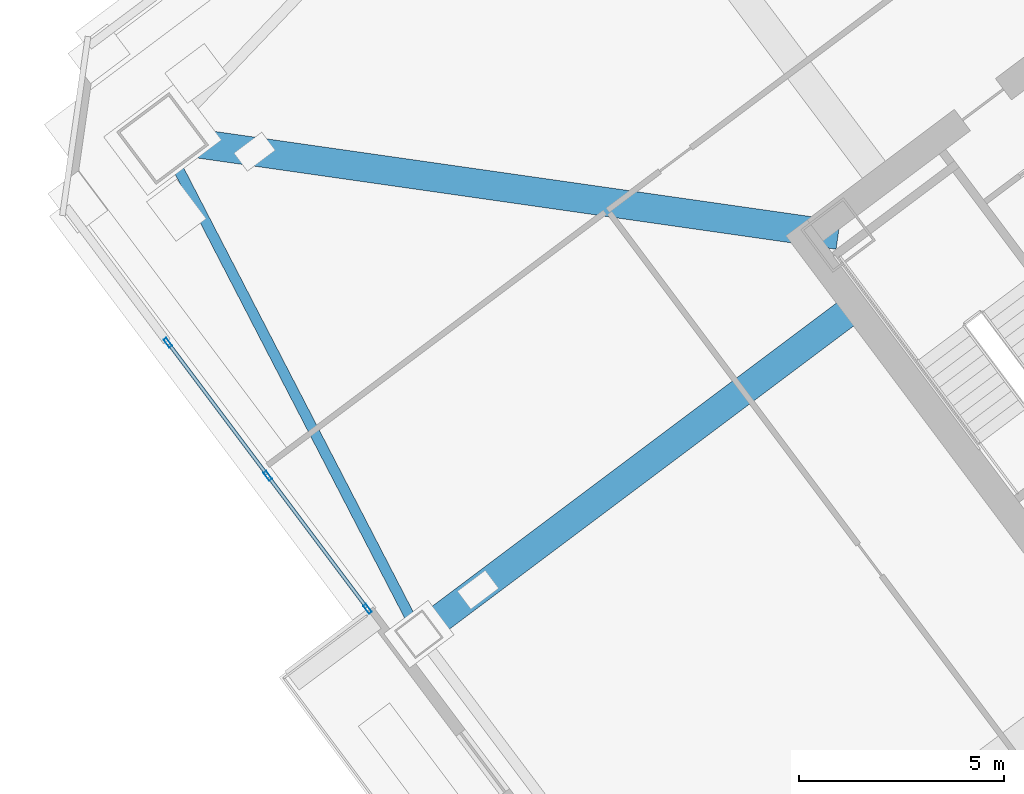
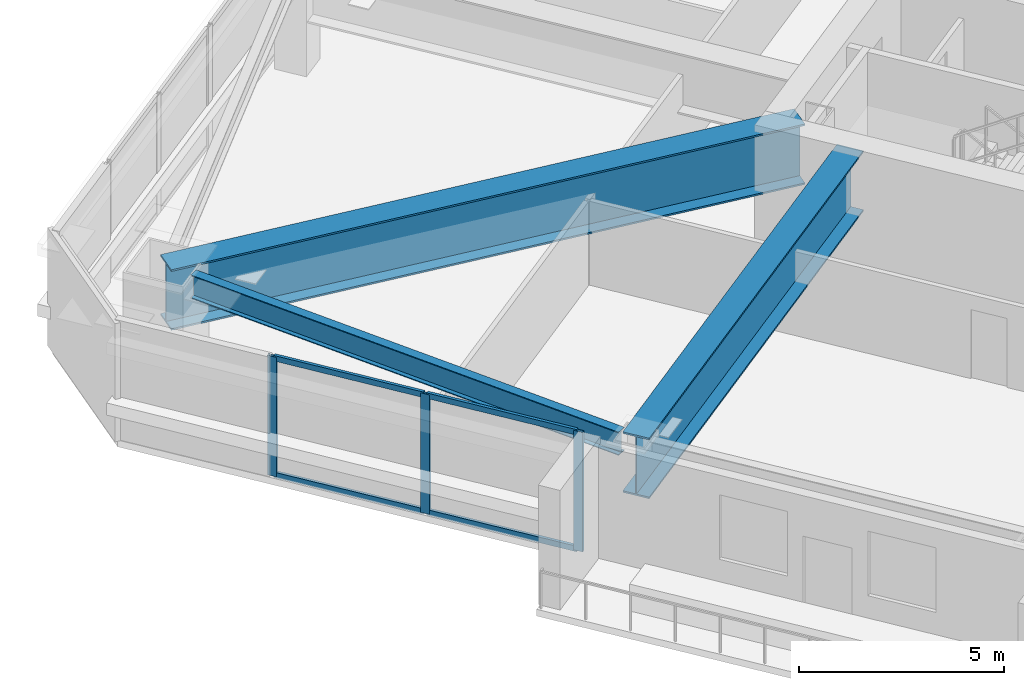
# One storey, part 23 of 48: 7 members, 3 beams, 1 element without a shape of its own.
"""IFC4 building model written with IfcOpenShell, lengths in metres."""

from ifc_helpers import new_model, si_unit, direction, frame, origin, origin_2d, place, context, subcontext, project, spatial, hollow_rectangle, i_section, extrude, material, material_profile, profile_set, type_object, element, aggregate, save


model = new_model("IFC4")

# Units and contexts
model_context = context("Model", 3, precision=1e-05, world=origin(), true_north=direction((0.0, 1.0)))
body_context = subcontext(model_context, "Body", "Model", "MODEL_VIEW")
ifc_project = project(units=[si_unit("LENGTHUNIT", "METRE"), si_unit("AREAUNIT", "SQUARE_METRE"), si_unit("VOLUMEUNIT", "CUBIC_METRE"), si_unit("PLANEANGLEUNIT", "RADIAN"), si_unit("MASSUNIT", "GRAM", prefix="KILO")], contexts=[model_context])

# Site, building, storey
site_placement = place(None, origin())
site = spatial("IfcSite", under=ifc_project, at=site_placement, CompositionType="ELEMENT")
building_placement = place(site_placement, origin())
building = spatial("IfcBuilding", under=site, at=building_placement, Name="Tashvorn Skyway Center", CompositionType="ELEMENT")
storey_placement = place(building_placement, frame((0.0, 0.0, 63.64990234375)))
storey = spatial("IfcBuildingStorey", under=building, at=storey_placement, Name="L16", CompositionType="ELEMENT", Elevation=63.64990234375)

# Beams
ifc_material_1 = material(Name="Steel ASTM A572 Grade 50", Category="steel")
ifc_material_profile_1 = material_profile(ifc_material_1, i_section(OverallWidth=0.699951171875, OverallDepth=1.800048828125, WebThickness=0.031982421875, FlangeThickness=0.050048828125, at=origin_2d()), Name="PG1800x700")
ifc_profile_set_1 = profile_set([ifc_material_profile_1], Name="Steel ASTM A572 Grade 50")
beam_type_1 = type_object("IfcBeamType", Name="BM-BEAM-PG1800x700", PredefinedType="BEAM", material=ifc_profile_set_1)
beam_1_placement = place(storey_placement, frame((87.679931640625, 35.760009765625, 2.4501953125), z_axis=(0.989948612107, -0.141427526976, 0.0), x_axis=(0.141427526976, 0.989948612107, 0.0)))
element("IfcBeam", 1, at=beam_1_placement, inside=storey, type_object=beam_type_1, Name="Tower 2 L16 Setback Transfer Girder MC-NW", PredefinedType="BEAM", context=body_context, shape_type="SweptSolid", body=[
    extrude(i_section(OverallWidth=0.699951171875, OverallDepth=1.800048828125, WebThickness=0.031982421875, FlangeThickness=0.050048828125, at=origin_2d()), origin(), (0.0, 0.0, 1.0), 16.616943359375),
])
beam_2_placement = place(storey_placement, frame((93.919921875, 23.68994140625, 2.4501953125), z_axis=(0.799993376728, 0.600008830928, 0.0), x_axis=(-0.600008830928, 0.799993376728, 0.0)))
element("IfcBeam", 2, at=beam_2_placement, inside=storey, type_object=beam_type_1, Name="Tower 2 L16 Setback Transfer Girder FC-W1", PredefinedType="BEAM", context=body_context, shape_type="SweptSolid", body=[
    extrude(i_section(OverallWidth=0.699951171875, OverallDepth=1.800048828125, WebThickness=0.031982421875, FlangeThickness=0.050048828125, at=origin_2d()), origin(), (0.0, 0.0, 1.0), 13.27001953125),
])
ifc_material_2 = material(Name="Steel ASTM A992 Grade 50", Category="steel")
ifc_material_profile_2 = material_profile(ifc_material_2, i_section(OverallWidth=0.256103515625, OverallDepth=0.693115234375, WebThickness=0.014404296875, FlangeThickness=0.023681640625, at=origin_2d()), Name="W27X114")
ifc_profile_set_2 = profile_set([ifc_material_profile_2], Name="Steel ASTM A992 Grade 50")
beam_type_2 = type_object("IfcBeamType", Name="BM-SPANDREL-W27X114", PredefinedType="SPANDREL", material=ifc_profile_set_2)
beam_3_placement = place(storey_placement, frame((88.045166015625, 35.0537109375, 3.003662109375), z_axis=(0.459233413919, -0.888315637339, 0.0), x_axis=(0.888315637339, 0.459233413919, 0.0)))
element("IfcBeam", 3, at=beam_3_placement, inside=storey, type_object=beam_type_2, Name="Tower 2 L16 Spandrel Beam 10", PredefinedType="SPANDREL", context=body_context, shape_type="SweptSolid", body=[
    extrude(i_section(OverallWidth=0.256103515625, OverallDepth=0.693115234375, WebThickness=0.014404296875, FlangeThickness=0.023681640625, at=origin_2d()), origin(), (0.0, 0.0, 1.0), 12.37255859375),
])

# Curtain wall, members
ifc_material_3 = material(Name="Thermally broken bronze-anodized aluminium 6063-T6", Category="aluminium")
curtain_wall_type = type_object("IfcCurtainWallType", Name="CW-CW-Z1", PredefinedType="NOTDEFINED", material=ifc_material_3)
curtain_wall_placement = place(storey_placement, origin())
curtain_wall = element("IfcCurtainWall", 4, at=curtain_wall_placement, inside=storey, type_object=curtain_wall_type, Name="Tower 2 L16 West Curtain Wall R Glazing Group 1", PredefinedType="NOTDEFINED")
ifc_material_profile_3 = material_profile(ifc_material_3, hollow_rectangle(XDim=0.0849609375, YDim=0.239990234375, WallThickness=0.0048828125, at=origin_2d()), Name="ALU-MULL-85x240")
ifc_profile_set_3 = profile_set([ifc_material_profile_3], Name="Thermally broken bronze-anodized aluminium 6063-T6")
member_type_1 = type_object("IfcMemberType", Name="CWM-CW-Z1", PredefinedType="MULLION", material=ifc_profile_set_3)
member_1_placement = place(storey_placement, frame((92.67041015625, 24.305908203125, 0.0), z_axis=(0.0, 0.0, 1.0), x_axis=(-0.799998534192, -0.600001954406, 0.0)))
member_1 = element("IfcMember", 5, at=member_1_placement, type_object=member_type_1, Name="CW-Z1 mullion 1", PredefinedType="MULLION", context=body_context, shape_type="SweptSolid", body=[
    extrude(hollow_rectangle(XDim=0.0849609375, YDim=0.239990234375, WallThickness=0.0048828125, at=origin_2d()), origin(), (0.0, 0.0, 1.0), 3.550048828125),
])
member_2_placement = place(storey_placement, frame((90.239990234375, 27.546630859375, 0.0), z_axis=(0.0, 0.0, 1.0), x_axis=(-0.799998534192, -0.600001954406, 0.0)))
member_2 = element("IfcMember", 6, at=member_2_placement, type_object=member_type_1, Name="CW-Z1 mullion 2", PredefinedType="MULLION", context=body_context, shape_type="SweptSolid", body=[
    extrude(hollow_rectangle(XDim=0.0849609375, YDim=0.239990234375, WallThickness=0.0048828125, at=origin_2d()), origin(), (0.0, 0.0, 1.0), 3.550048828125),
])
member_3_placement = place(storey_placement, frame((87.8095703125, 30.787353515625, 0.0), z_axis=(0.0, 0.0, 1.0), x_axis=(-0.799998534192, -0.600001954406, 0.0)))
member_3 = element("IfcMember", 7, at=member_3_placement, type_object=member_type_1, Name="CW-Z1 mullion 3", PredefinedType="MULLION", context=body_context, shape_type="SweptSolid", body=[
    extrude(hollow_rectangle(XDim=0.0849609375, YDim=0.239990234375, WallThickness=0.0048828125, at=origin_2d()), origin(), (0.0, 0.0, 1.0), 3.550048828125),
])
ifc_material_profile_4 = material_profile(ifc_material_3, hollow_rectangle(XDim=0.0849609375, YDim=0.1650390625, WallThickness=0.0048828125, at=origin_2d()), Name="ALU-TRAN-85x165")
ifc_profile_set_4 = profile_set([ifc_material_profile_4], Name="Thermally broken bronze-anodized aluminium 6063-T6")
member_type_2 = type_object("IfcMemberType", Name="CWT-CW-Z1", PredefinedType="USERDEFINED", material=ifc_profile_set_4)
member_4_placement = place(storey_placement, frame((92.64501953125, 24.340087890625, 0.04248046875), z_axis=(-0.600029548599, 0.799977837698, 0.0), x_axis=(-0.799977837698, -0.600029548599, 0.0)))
member_4 = element("IfcMember", 8, at=member_4_placement, type_object=member_type_2, Name="CW-Z1 transom 1.1", ObjectType="TRANSOM", PredefinedType="USERDEFINED", context=body_context, shape_type="SweptSolid", body=[
    extrude(hollow_rectangle(XDim=0.0849609375, YDim=0.1650390625, WallThickness=0.0048828125, at=origin_2d()), origin(), (0.0, 0.0, 1.0), 3.9658203125),
])
member_5_placement = place(storey_placement, frame((92.64501953125, 24.340087890625, 3.507568359375), z_axis=(-0.600029548599, 0.799977837698, 0.0), x_axis=(-0.799977837698, -0.600029548599, 0.0)))
member_5 = element("IfcMember", 9, at=member_5_placement, type_object=member_type_2, Name="CW-Z1 transom 1.2", ObjectType="TRANSOM", PredefinedType="USERDEFINED", context=body_context, shape_type="SweptSolid", body=[
    extrude(hollow_rectangle(XDim=0.0849609375, YDim=0.1650390625, WallThickness=0.0048828125, at=origin_2d()), origin(), (0.0, 0.0, 1.0), 3.9658203125),
])
member_6_placement = place(storey_placement, frame((90.214599609375, 27.58056640625, 0.04248046875), z_axis=(-0.6, 0.8, 0.0), x_axis=(-0.8, -0.6, 0.0)))
member_6 = element("IfcMember", 10, at=member_6_placement, type_object=member_type_2, Name="CW-Z1 transom 2.1", ObjectType="TRANSOM", PredefinedType="USERDEFINED", context=body_context, shape_type="SweptSolid", body=[
    extrude(hollow_rectangle(XDim=0.0849609375, YDim=0.1650390625, WallThickness=0.0048828125, at=origin_2d()), origin(), (0.0, 0.0, 1.0), 3.966064453125),
])
member_7_placement = place(storey_placement, frame((90.214599609375, 27.58056640625, 3.507568359375), z_axis=(-0.6, 0.8, 0.0), x_axis=(-0.8, -0.6, 0.0)))
member_7 = element("IfcMember", 11, at=member_7_placement, type_object=member_type_2, Name="CW-Z1 transom 2.2", ObjectType="TRANSOM", PredefinedType="USERDEFINED", context=body_context, shape_type="SweptSolid", body=[
    extrude(hollow_rectangle(XDim=0.0849609375, YDim=0.1650390625, WallThickness=0.0048828125, at=origin_2d()), origin(), (0.0, 0.0, 1.0), 3.966064453125),
])
aggregate(curtain_wall, [member_1, member_2, member_3, member_4, member_5, member_6, member_7])

save(model, "model.ifc")
